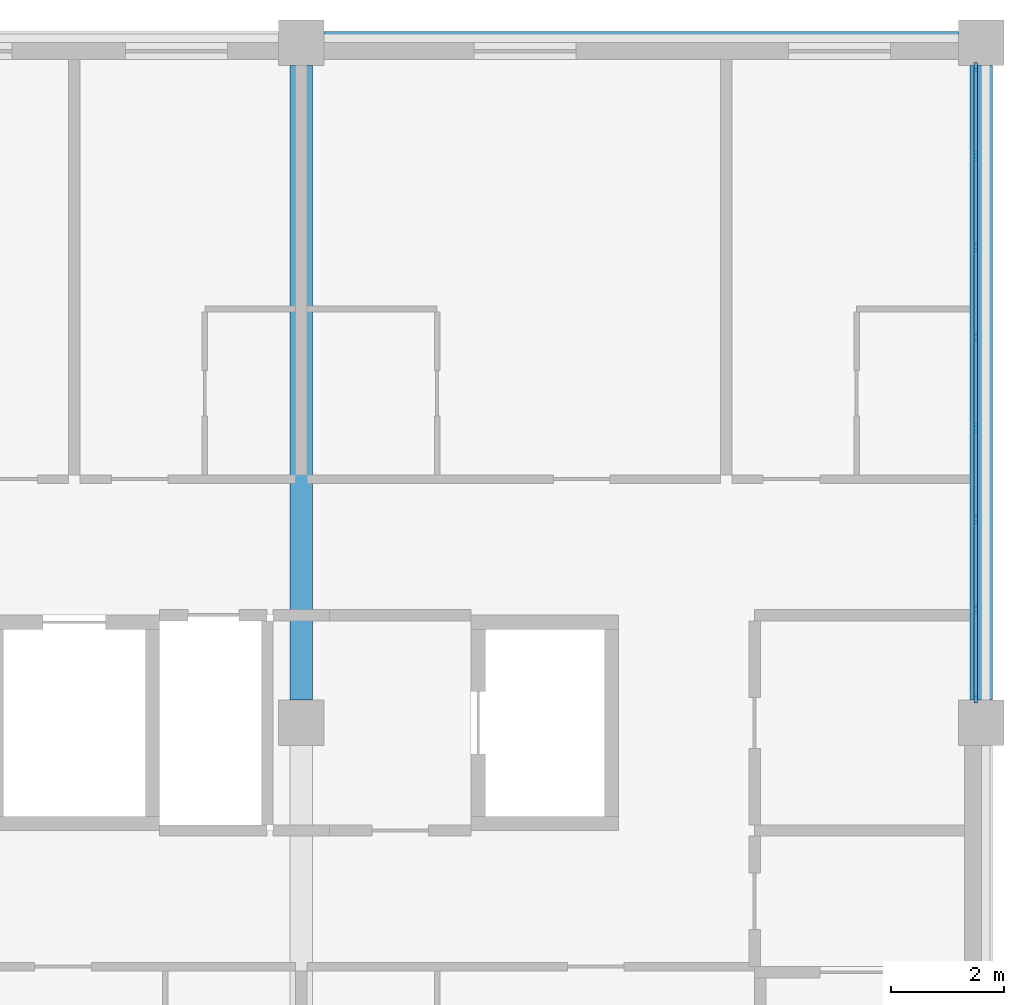
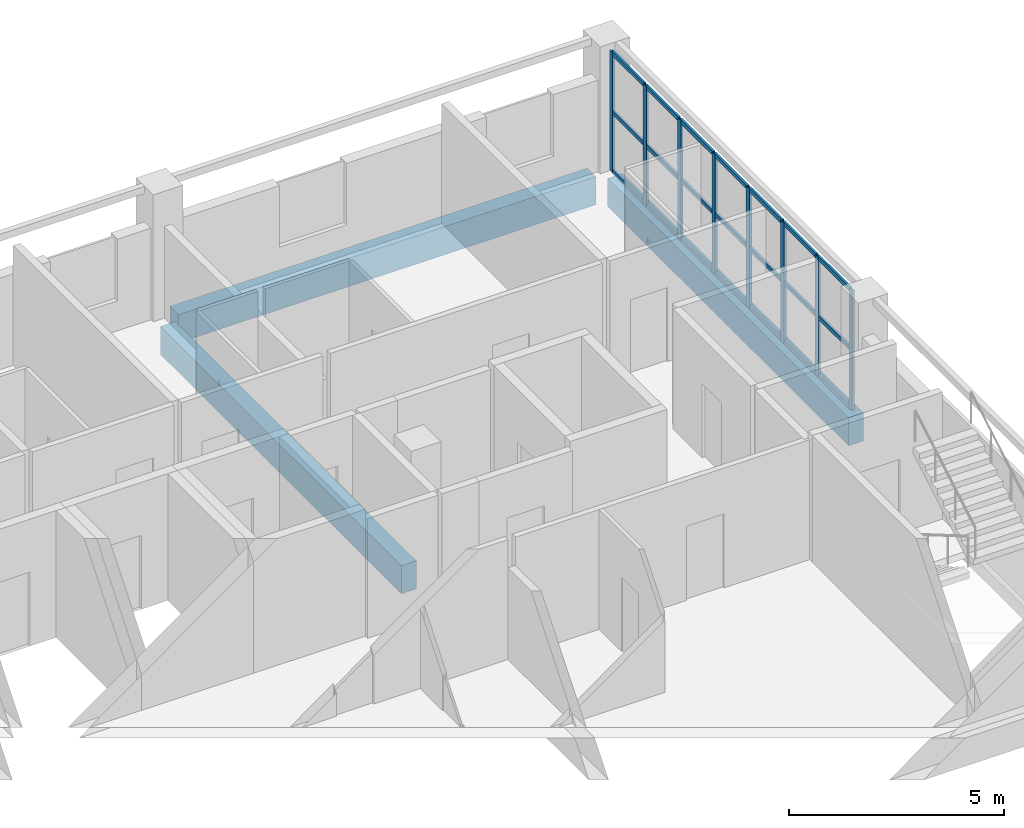
# One storey, part 4 of 11: 29 members, 3 beams, 1 element without a shape of its own.
"""IFC4 building model written with IfcOpenShell, lengths in metres."""

from ifc_helpers import new_model, si_unit, direction, frame, origin, origin_2d, place, context, subcontext, project, spatial, rectangle, extrude, material, layer, layer_set, material_profile, profile_set, type_object, element, aggregate, save


model = new_model("IFC4")

# Units and contexts
model_context = context("Model", 3, precision=1e-05, world=origin(), true_north=direction((0.0, 1.0)))
body_context = subcontext(model_context, "Body", "Model", "MODEL_VIEW")
ifc_project = project(units=[si_unit("LENGTHUNIT", "METRE"), si_unit("AREAUNIT", "SQUARE_METRE"), si_unit("VOLUMEUNIT", "CUBIC_METRE"), si_unit("PLANEANGLEUNIT", "RADIAN"), si_unit("MASSUNIT", "GRAM", prefix="KILO")], contexts=[model_context])

# Site, building, storey
site_placement = place(None, origin())
site = spatial("IfcSite", under=ifc_project, at=site_placement, CompositionType="ELEMENT")
building_placement = place(site_placement, origin())
building = spatial("IfcBuilding", under=site, at=building_placement, Name="Lilac Gate Convention Centre", CompositionType="ELEMENT")
storey_placement = place(building_placement, frame((0.0, 0.0, 42.60009765625)))
storey = spatial("IfcBuildingStorey", under=building, at=storey_placement, Name="L10", CompositionType="ELEMENT", Elevation=42.60009765625)

# Curtain wall, members
ifc_material_1 = material(Name="Aluminium framed double glazing", Category="aluminium")
ifc_layer = layer(ifc_material_1, 0.199951171875)
ifc_layer_set = layer_set([ifc_layer], Name="Aluminium framed double glazing")
curtain_wall_type = type_object("IfcCurtainWallType", Name="Unitised curtain wall 1500", PredefinedType="NOTDEFINED", material=ifc_layer_set)
curtain_wall_placement = place(storey_placement, origin())
curtain_wall = element("IfcCurtainWall", 1, at=curtain_wall_placement, inside=storey, type_object=curtain_wall_type, Name="Curtain wall E L10 2", PredefinedType="NOTDEFINED")
ifc_material_2 = material(Name="Aluminium alloy 6063", Category="aluminium")
ifc_material_profile_1 = material_profile(ifc_material_2, rectangle(XDim=0.06005859375, YDim=0.159912109375, at=origin_2d()), Name="Curtain wall mullion 60 x 160")
ifc_profile_set_1 = profile_set([ifc_material_profile_1], Name="Aluminium alloy 6063")
member_type_1 = type_object("IfcMemberType", Name="Curtain wall mullion 60 x 160", PredefinedType="MULLION", material=ifc_profile_set_1)
member_1_placement = place(storey_placement, frame((89.89990234375, 234.429931640625, 0.0), z_axis=(0.0, 0.0, 1.0), x_axis=(-1.0, 0.0, 0.0)))
member_1 = element("IfcMember", 2, at=member_1_placement, type_object=member_type_1, Name="CW mullion 1", PredefinedType="MULLION", context=body_context, shape_type="SweptSolid", body=[
    extrude(rectangle(XDim=0.06005859375, YDim=0.159912109375, at=origin_2d()), origin(), (0.0, 0.0, 1.0), 3.39990234375),
])
member_2_placement = place(storey_placement, frame((89.89990234375, 236.0, 0.0), z_axis=(0.0, 0.0, 1.0), x_axis=(-1.0, 0.0, 0.0)))
member_2 = element("IfcMember", 3, at=member_2_placement, type_object=member_type_1, Name="CW mullion 2", PredefinedType="MULLION", context=body_context, shape_type="SweptSolid", body=[
    extrude(rectangle(XDim=0.06005859375, YDim=0.159912109375, at=origin_2d()), origin(), (0.0, 0.0, 1.0), 3.39990234375),
])
member_3_placement = place(storey_placement, frame((89.89990234375, 237.599853515625, 0.0), z_axis=(0.0, 0.0, 1.0), x_axis=(-1.0, 0.0, 0.0)))
member_3 = element("IfcMember", 4, at=member_3_placement, type_object=member_type_1, Name="CW mullion 3", PredefinedType="MULLION", context=body_context, shape_type="SweptSolid", body=[
    extrude(rectangle(XDim=0.06005859375, YDim=0.159912109375, at=origin_2d()), origin(), (0.0, 0.0, 1.0), 3.39990234375),
])
member_4_placement = place(storey_placement, frame((89.89990234375, 239.199951171875, 0.0), z_axis=(0.0, 0.0, 1.0), x_axis=(-1.0, 0.0, 0.0)))
member_4 = element("IfcMember", 5, at=member_4_placement, type_object=member_type_1, Name="CW mullion 4", PredefinedType="MULLION", context=body_context, shape_type="SweptSolid", body=[
    extrude(rectangle(XDim=0.06005859375, YDim=0.159912109375, at=origin_2d()), origin(), (0.0, 0.0, 1.0), 3.39990234375),
])
member_5_placement = place(storey_placement, frame((89.89990234375, 240.800048828125, 0.0), z_axis=(0.0, 0.0, 1.0), x_axis=(-1.0, 0.0, 0.0)))
member_5 = element("IfcMember", 6, at=member_5_placement, type_object=member_type_1, Name="CW mullion 5", PredefinedType="MULLION", context=body_context, shape_type="SweptSolid", body=[
    extrude(rectangle(XDim=0.06005859375, YDim=0.159912109375, at=origin_2d()), origin(), (0.0, 0.0, 1.0), 3.39990234375),
])
member_6_placement = place(storey_placement, frame((89.89990234375, 242.400146484375, 0.0), z_axis=(0.0, 0.0, 1.0), x_axis=(-1.0, 0.0, 0.0)))
member_6 = element("IfcMember", 7, at=member_6_placement, type_object=member_type_1, Name="CW mullion 6", PredefinedType="MULLION", context=body_context, shape_type="SweptSolid", body=[
    extrude(rectangle(XDim=0.06005859375, YDim=0.159912109375, at=origin_2d()), origin(), (0.0, 0.0, 1.0), 3.39990234375),
])
member_7_placement = place(storey_placement, frame((89.89990234375, 244.0, 0.0), z_axis=(0.0, 0.0, 1.0), x_axis=(-1.0, 0.0, 0.0)))
member_7 = element("IfcMember", 8, at=member_7_placement, type_object=member_type_1, Name="CW mullion 7", PredefinedType="MULLION", context=body_context, shape_type="SweptSolid", body=[
    extrude(rectangle(XDim=0.06005859375, YDim=0.159912109375, at=origin_2d()), origin(), (0.0, 0.0, 1.0), 3.39990234375),
])
member_8_placement = place(storey_placement, frame((89.89990234375, 245.570068359375, 0.0), z_axis=(0.0, 0.0, 1.0), x_axis=(-1.0, 0.0, 0.0)))
member_8 = element("IfcMember", 9, at=member_8_placement, type_object=member_type_1, Name="CW mullion 8", PredefinedType="MULLION", context=body_context, shape_type="SweptSolid", body=[
    extrude(rectangle(XDim=0.06005859375, YDim=0.159912109375, at=origin_2d()), origin(), (0.0, 0.0, 1.0), 3.39990234375),
])
ifc_material_profile_2 = material_profile(ifc_material_2, rectangle(XDim=0.06005859375, YDim=0.1201171875, at=origin_2d()), Name="Curtain wall transom 60 x 120")
ifc_profile_set_2 = profile_set([ifc_material_profile_2], Name="Aluminium alloy 6063")
member_type_2 = type_object("IfcMemberType", Name="Curtain wall transom 60 x 120", PredefinedType="USERDEFINED", material=ifc_profile_set_2)
member_9_placement = place(storey_placement, frame((89.89990234375, 234.4599609375, 0.030029296875), z_axis=(0.0, 1.0, 0.0), x_axis=(-1.0, 0.0, 0.0)))
member_9 = element("IfcMember", 10, at=member_9_placement, type_object=member_type_2, Name="CW transom 1.1", ObjectType="TRANSOM", PredefinedType="USERDEFINED", context=body_context, shape_type="SweptSolid", body=[
    extrude(rectangle(XDim=0.06005859375, YDim=0.1201171875, at=origin_2d()), origin(), (0.0, 0.0, 1.0), 1.510009765625),
])
member_10_placement = place(storey_placement, frame((89.89990234375, 234.4599609375, 1.699951171875), z_axis=(0.0, 1.0, 0.0), x_axis=(-1.0, 0.0, 0.0)))
member_10 = element("IfcMember", 11, at=member_10_placement, type_object=member_type_2, Name="CW transom 1.2", ObjectType="TRANSOM", PredefinedType="USERDEFINED", context=body_context, shape_type="SweptSolid", body=[
    extrude(rectangle(XDim=0.06005859375, YDim=0.1201171875, at=origin_2d()), origin(), (0.0, 0.0, 1.0), 1.510009765625),
])
member_11_placement = place(storey_placement, frame((89.89990234375, 234.4599609375, 3.369873046875), z_axis=(0.0, 1.0, 0.0), x_axis=(-1.0, 0.0, 0.0)))
member_11 = element("IfcMember", 12, at=member_11_placement, type_object=member_type_2, Name="CW transom 1.3", ObjectType="TRANSOM", PredefinedType="USERDEFINED", context=body_context, shape_type="SweptSolid", body=[
    extrude(rectangle(XDim=0.06005859375, YDim=0.1201171875, at=origin_2d()), origin(), (0.0, 0.0, 1.0), 1.510009765625),
])
member_12_placement = place(storey_placement, frame((89.89990234375, 236.030029296875, 0.030029296875), z_axis=(0.0, 1.0, 0.0), x_axis=(-1.0, 0.0, 0.0)))
member_12 = element("IfcMember", 13, at=member_12_placement, type_object=member_type_2, Name="CW transom 2.1", ObjectType="TRANSOM", PredefinedType="USERDEFINED", context=body_context, shape_type="SweptSolid", body=[
    extrude(rectangle(XDim=0.06005859375, YDim=0.1201171875, at=origin_2d()), origin(), (0.0, 0.0, 1.0), 1.5400390625),
])
member_13_placement = place(storey_placement, frame((89.89990234375, 236.030029296875, 1.699951171875), z_axis=(0.0, 1.0, 0.0), x_axis=(-1.0, 0.0, 0.0)))
member_13 = element("IfcMember", 14, at=member_13_placement, type_object=member_type_2, Name="CW transom 2.2", ObjectType="TRANSOM", PredefinedType="USERDEFINED", context=body_context, shape_type="SweptSolid", body=[
    extrude(rectangle(XDim=0.06005859375, YDim=0.1201171875, at=origin_2d()), origin(), (0.0, 0.0, 1.0), 1.5400390625),
])
member_14_placement = place(storey_placement, frame((89.89990234375, 236.030029296875, 3.369873046875), z_axis=(0.0, 1.0, 0.0), x_axis=(-1.0, 0.0, 0.0)))
member_14 = element("IfcMember", 15, at=member_14_placement, type_object=member_type_2, Name="CW transom 2.3", ObjectType="TRANSOM", PredefinedType="USERDEFINED", context=body_context, shape_type="SweptSolid", body=[
    extrude(rectangle(XDim=0.06005859375, YDim=0.1201171875, at=origin_2d()), origin(), (0.0, 0.0, 1.0), 1.5400390625),
])
member_15_placement = place(storey_placement, frame((89.89990234375, 237.6298828125, 0.030029296875), z_axis=(0.0, 1.0, 0.0), x_axis=(-1.0, 0.0, 0.0)))
member_15 = element("IfcMember", 16, at=member_15_placement, type_object=member_type_2, Name="CW transom 3.1", ObjectType="TRANSOM", PredefinedType="USERDEFINED", context=body_context, shape_type="SweptSolid", body=[
    extrude(rectangle(XDim=0.06005859375, YDim=0.1201171875, at=origin_2d()), origin(), (0.0, 0.0, 1.0), 1.5400390625),
])
member_16_placement = place(storey_placement, frame((89.89990234375, 237.6298828125, 1.699951171875), z_axis=(0.0, 1.0, 0.0), x_axis=(-1.0, 0.0, 0.0)))
member_16 = element("IfcMember", 17, at=member_16_placement, type_object=member_type_2, Name="CW transom 3.2", ObjectType="TRANSOM", PredefinedType="USERDEFINED", context=body_context, shape_type="SweptSolid", body=[
    extrude(rectangle(XDim=0.06005859375, YDim=0.1201171875, at=origin_2d()), origin(), (0.0, 0.0, 1.0), 1.5400390625),
])
member_17_placement = place(storey_placement, frame((89.89990234375, 237.6298828125, 3.369873046875), z_axis=(0.0, 1.0, 0.0), x_axis=(-1.0, 0.0, 0.0)))
member_17 = element("IfcMember", 18, at=member_17_placement, type_object=member_type_2, Name="CW transom 3.3", ObjectType="TRANSOM", PredefinedType="USERDEFINED", context=body_context, shape_type="SweptSolid", body=[
    extrude(rectangle(XDim=0.06005859375, YDim=0.1201171875, at=origin_2d()), origin(), (0.0, 0.0, 1.0), 1.5400390625),
])
member_18_placement = place(storey_placement, frame((89.89990234375, 239.22998046875, 0.030029296875), z_axis=(0.0, 1.0, 0.0), x_axis=(-1.0, 0.0, 0.0)))
member_18 = element("IfcMember", 19, at=member_18_placement, type_object=member_type_2, Name="CW transom 4.1", ObjectType="TRANSOM", PredefinedType="USERDEFINED", context=body_context, shape_type="SweptSolid", body=[
    extrude(rectangle(XDim=0.06005859375, YDim=0.1201171875, at=origin_2d()), origin(), (0.0, 0.0, 1.0), 1.5400390625),
])
member_19_placement = place(storey_placement, frame((89.89990234375, 239.22998046875, 1.699951171875), z_axis=(0.0, 1.0, 0.0), x_axis=(-1.0, 0.0, 0.0)))
member_19 = element("IfcMember", 20, at=member_19_placement, type_object=member_type_2, Name="CW transom 4.2", ObjectType="TRANSOM", PredefinedType="USERDEFINED", context=body_context, shape_type="SweptSolid", body=[
    extrude(rectangle(XDim=0.06005859375, YDim=0.1201171875, at=origin_2d()), origin(), (0.0, 0.0, 1.0), 1.5400390625),
])
member_20_placement = place(storey_placement, frame((89.89990234375, 239.22998046875, 3.369873046875), z_axis=(0.0, 1.0, 0.0), x_axis=(-1.0, 0.0, 0.0)))
member_20 = element("IfcMember", 21, at=member_20_placement, type_object=member_type_2, Name="CW transom 4.3", ObjectType="TRANSOM", PredefinedType="USERDEFINED", context=body_context, shape_type="SweptSolid", body=[
    extrude(rectangle(XDim=0.06005859375, YDim=0.1201171875, at=origin_2d()), origin(), (0.0, 0.0, 1.0), 1.5400390625),
])
member_21_placement = place(storey_placement, frame((89.89990234375, 240.830078125, 0.030029296875), z_axis=(0.0, 1.0, 0.0), x_axis=(-1.0, 0.0, 0.0)))
member_21 = element("IfcMember", 22, at=member_21_placement, type_object=member_type_2, Name="CW transom 5.1", ObjectType="TRANSOM", PredefinedType="USERDEFINED", context=body_context, shape_type="SweptSolid", body=[
    extrude(rectangle(XDim=0.06005859375, YDim=0.1201171875, at=origin_2d()), origin(), (0.0, 0.0, 1.0), 1.5400390625),
])
member_22_placement = place(storey_placement, frame((89.89990234375, 240.830078125, 1.699951171875), z_axis=(0.0, 1.0, 0.0), x_axis=(-1.0, 0.0, 0.0)))
member_22 = element("IfcMember", 23, at=member_22_placement, type_object=member_type_2, Name="CW transom 5.2", ObjectType="TRANSOM", PredefinedType="USERDEFINED", context=body_context, shape_type="SweptSolid", body=[
    extrude(rectangle(XDim=0.06005859375, YDim=0.1201171875, at=origin_2d()), origin(), (0.0, 0.0, 1.0), 1.5400390625),
])
member_23_placement = place(storey_placement, frame((89.89990234375, 240.830078125, 3.369873046875), z_axis=(0.0, 1.0, 0.0), x_axis=(-1.0, 0.0, 0.0)))
member_23 = element("IfcMember", 24, at=member_23_placement, type_object=member_type_2, Name="CW transom 5.3", ObjectType="TRANSOM", PredefinedType="USERDEFINED", context=body_context, shape_type="SweptSolid", body=[
    extrude(rectangle(XDim=0.06005859375, YDim=0.1201171875, at=origin_2d()), origin(), (0.0, 0.0, 1.0), 1.5400390625),
])
member_24_placement = place(storey_placement, frame((89.89990234375, 242.429931640625, 0.030029296875), z_axis=(0.0, 1.0, 0.0), x_axis=(-1.0, 0.0, 0.0)))
member_24 = element("IfcMember", 25, at=member_24_placement, type_object=member_type_2, Name="CW transom 6.1", ObjectType="TRANSOM", PredefinedType="USERDEFINED", context=body_context, shape_type="SweptSolid", body=[
    extrude(rectangle(XDim=0.06005859375, YDim=0.1201171875, at=origin_2d()), origin(), (0.0, 0.0, 1.0), 1.5400390625),
])
member_25_placement = place(storey_placement, frame((89.89990234375, 242.429931640625, 1.699951171875), z_axis=(0.0, 1.0, 0.0), x_axis=(-1.0, 0.0, 0.0)))
member_25 = element("IfcMember", 26, at=member_25_placement, type_object=member_type_2, Name="CW transom 6.2", ObjectType="TRANSOM", PredefinedType="USERDEFINED", context=body_context, shape_type="SweptSolid", body=[
    extrude(rectangle(XDim=0.06005859375, YDim=0.1201171875, at=origin_2d()), origin(), (0.0, 0.0, 1.0), 1.5400390625),
])
member_26_placement = place(storey_placement, frame((89.89990234375, 242.429931640625, 3.369873046875), z_axis=(0.0, 1.0, 0.0), x_axis=(-1.0, 0.0, 0.0)))
member_26 = element("IfcMember", 27, at=member_26_placement, type_object=member_type_2, Name="CW transom 6.3", ObjectType="TRANSOM", PredefinedType="USERDEFINED", context=body_context, shape_type="SweptSolid", body=[
    extrude(rectangle(XDim=0.06005859375, YDim=0.1201171875, at=origin_2d()), origin(), (0.0, 0.0, 1.0), 1.5400390625),
])
member_27_placement = place(storey_placement, frame((89.89990234375, 244.030029296875, 0.030029296875), z_axis=(0.0, 1.0, 0.0), x_axis=(-1.0, 0.0, 0.0)))
member_27 = element("IfcMember", 28, at=member_27_placement, type_object=member_type_2, Name="CW transom 7.1", ObjectType="TRANSOM", PredefinedType="USERDEFINED", context=body_context, shape_type="SweptSolid", body=[
    extrude(rectangle(XDim=0.06005859375, YDim=0.1201171875, at=origin_2d()), origin(), (0.0, 0.0, 1.0), 1.510009765625),
])
member_28_placement = place(storey_placement, frame((89.89990234375, 244.030029296875, 1.699951171875), z_axis=(0.0, 1.0, 0.0), x_axis=(-1.0, 0.0, 0.0)))
member_28 = element("IfcMember", 29, at=member_28_placement, type_object=member_type_2, Name="CW transom 7.2", ObjectType="TRANSOM", PredefinedType="USERDEFINED", context=body_context, shape_type="SweptSolid", body=[
    extrude(rectangle(XDim=0.06005859375, YDim=0.1201171875, at=origin_2d()), origin(), (0.0, 0.0, 1.0), 1.510009765625),
])
member_29_placement = place(storey_placement, frame((89.89990234375, 244.030029296875, 3.369873046875), z_axis=(0.0, 1.0, 0.0), x_axis=(-1.0, 0.0, 0.0)))
member_29 = element("IfcMember", 30, at=member_29_placement, type_object=member_type_2, Name="CW transom 7.3", ObjectType="TRANSOM", PredefinedType="USERDEFINED", context=body_context, shape_type="SweptSolid", body=[
    extrude(rectangle(XDim=0.06005859375, YDim=0.1201171875, at=origin_2d()), origin(), (0.0, 0.0, 1.0), 1.510009765625),
])
aggregate(curtain_wall, [member_1, member_2, member_3, member_4, member_5, member_6, member_7, member_8, member_9, member_10, member_11, member_12, member_13, member_14, member_15, member_16, member_17, member_18, member_19, member_20, member_21, member_22, member_23, member_24, member_25, member_26, member_27, member_28, member_29])

# Beams
ifc_material_3 = material(Name="Concrete C40", Category="concrete")
ifc_material_profile_3 = material_profile(ifc_material_3, rectangle(XDim=0.39990234375, YDim=0.800048828125, at=origin_2d()), Name="RC 400x800")
ifc_profile_set_3 = profile_set([ifc_material_profile_3], Name="Concrete C40")
beam_type = type_object("IfcBeamType", Name="Tower primary beam 400x800 C40", PredefinedType="BEAM", material=ifc_profile_set_3)
for number, where, z_axis, x_axis, name in (
    (31, (78.39990234375, 246.0, -0.60009765625), (1.0, 0.0, 0.0), (0.0, 1.0, 0.0), "RB3 L10 7/U-8/U"),
    (32, (78.0, 234.39990234375, -0.60009765625), (0.0, 1.0, 0.0), (-1.0, 0.0, 0.0), "RB3 L10 7/T-7/U"),
    (33, (90.0, 234.39990234375, -0.60009765625), (0.0, 1.0, 0.0), (-1.0, 0.0, 0.0), "RB3 L10 8/T-8/U"),
):
    element("IfcBeam", number, at=place(storey_placement, frame(where, z_axis=z_axis, x_axis=x_axis)), inside=storey, type_object=beam_type, Name=name, PredefinedType="BEAM", context=body_context, shape_type="SweptSolid", body=[
        extrude(rectangle(XDim=0.39990234375, YDim=0.800048828125, at=origin_2d()), origin(), (0.0, 0.0, 1.0), 11.2001953125),
    ])

save(model, "model.ifc")
